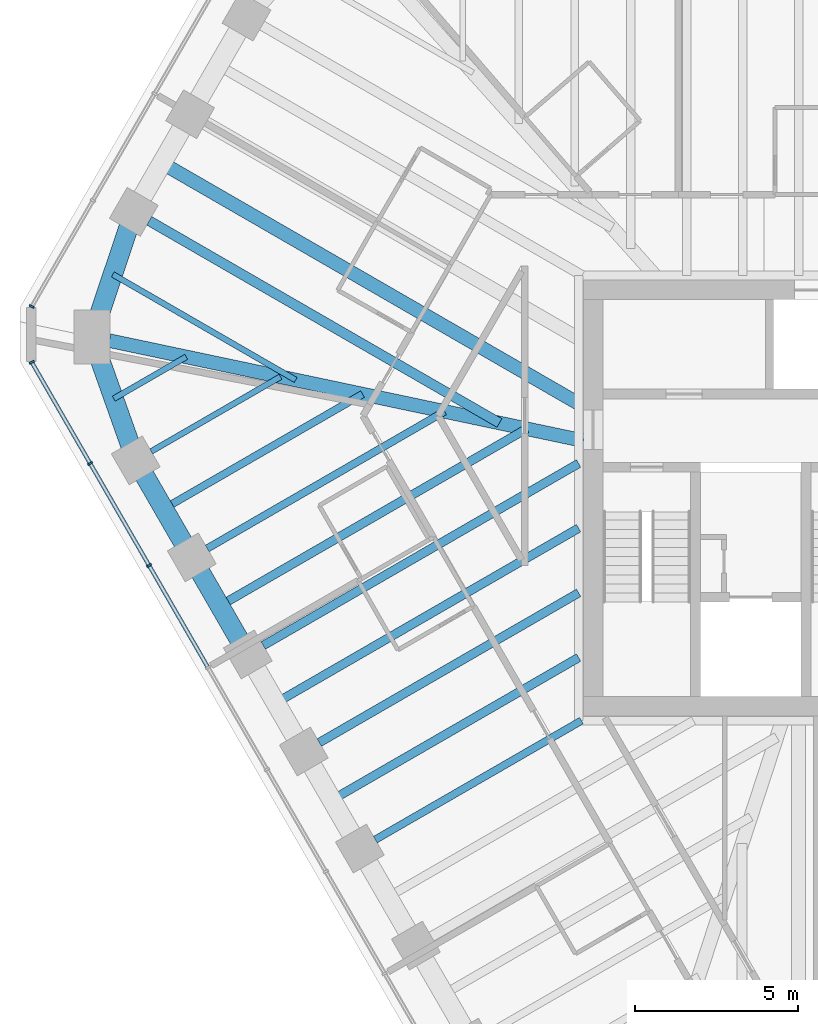
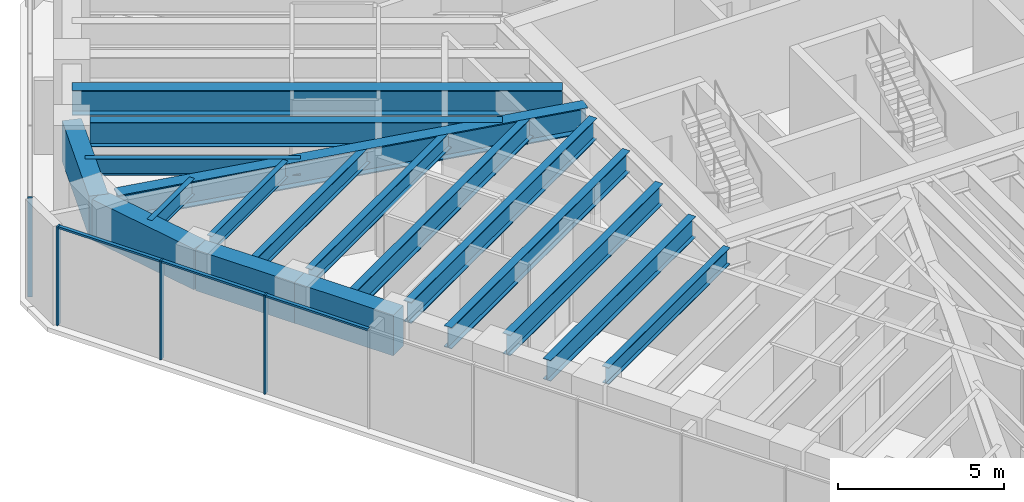
# One storey, part 3 of 14: 18 beams, 7 members, 2 elements without a shape of their own.
"""IFC4 building model written with IfcOpenShell, lengths in metres."""

from ifc_helpers import new_model, si_unit, direction, frame, origin, origin_2d, place, context, subcontext, project, spatial, rectangle, i_section, extrude, material, material_profile, profile_set, type_object, element, aggregate, save


model = new_model("IFC4")

# Units and contexts
model_context = context("Model", 3, precision=1e-05, world=origin(), true_north=direction((0.0, 1.0)))
body_context = subcontext(model_context, "Body", "Model", "MODEL_VIEW")
ifc_project = project(units=[si_unit("LENGTHUNIT", "METRE"), si_unit("AREAUNIT", "SQUARE_METRE"), si_unit("VOLUMEUNIT", "CUBIC_METRE"), si_unit("PLANEANGLEUNIT", "RADIAN"), si_unit("MASSUNIT", "GRAM", prefix="KILO")], contexts=[model_context])

# Site, building, storey
site_placement = place(None, origin())
site = spatial("IfcSite", under=ifc_project, at=site_placement, CompositionType="ELEMENT")
building_placement = place(site_placement, origin())
building = spatial("IfcBuilding", under=site, at=building_placement, Name="Sandreach Pilgrim Tower", CompositionType="ELEMENT")
storey_placement = place(building_placement, frame((0.0, 0.0, 295.0)))
storey = spatial("IfcBuildingStorey", under=building, at=storey_placement, Name="L74", CompositionType="ELEMENT", Elevation=295.0)

# Curtain wall, members
ifc_material_1 = material(Name="Aluminium framed curtain wall", Category="aluminium")
curtain_wall_type = type_object("IfcCurtainWallType", Name="Suite tower curtain wall", PredefinedType="NOTDEFINED", material=ifc_material_1)
curtain_wall_1_placement = place(storey_placement, origin())
curtain_wall_1 = element("IfcCurtainWall", 1, at=curtain_wall_1_placement, inside=storey, type_object=curtain_wall_type, Name="CW-4 L74 SW", PredefinedType="NOTDEFINED")
ifc_material_2 = material(Name="Aluminium extrusion", Category="aluminium")
ifc_material_profile_1 = material_profile(ifc_material_2, rectangle(XDim=0.06005859375, YDim=0.159912109375, at=origin_2d()), Name="CW-4M 60X160")
ifc_profile_set_1 = profile_set([ifc_material_profile_1], Name="Aluminium extrusion")
member_type_1 = type_object("IfcMemberType", Name="CW-4 mullion", PredefinedType="MULLION", material=ifc_profile_set_1)
member_1_placement = place(storey_placement, frame((-21.697509765625, -2.071533203125, 0.0), z_axis=(0.0, 0.0, 1.0), x_axis=(-0.5, 0.866025403784, 0.0)))
member_1 = element("IfcMember", 2, at=member_1_placement, type_object=member_type_1, Name="CW-4 mullion 8", PredefinedType="MULLION", context=body_context, shape_type="SweptSolid", body=[
    extrude(rectangle(XDim=0.06005859375, YDim=0.159912109375, at=origin_2d()), origin(), (0.0, 0.0, 1.0), 3.639892578125),
])
member_2_placement = place(storey_placement, frame((-23.508544921875, 1.06494140625, 0.0), z_axis=(0.0, 0.0, 1.0), x_axis=(-0.5, 0.866025403784, 0.0)))
member_2 = element("IfcMember", 3, at=member_2_placement, type_object=member_type_1, Name="CW-4 mullion 9", PredefinedType="MULLION", context=body_context, shape_type="SweptSolid", body=[
    extrude(rectangle(XDim=0.06005859375, YDim=0.159912109375, at=origin_2d()), origin(), (0.0, 0.0, 1.0), 3.639892578125),
])
member_3_placement = place(storey_placement, frame((-25.304443359375, 4.175537109375, 0.0), z_axis=(0.0, 0.0, 1.0), x_axis=(-0.5, 0.866025403784, 0.0)))
member_3 = element("IfcMember", 4, at=member_3_placement, type_object=member_type_1, Name="CW-4 mullion 10", PredefinedType="MULLION", context=body_context, shape_type="SweptSolid", body=[
    extrude(rectangle(XDim=0.06005859375, YDim=0.159912109375, at=origin_2d()), origin(), (0.0, 0.0, 1.0), 3.639892578125),
])

# Curtain wall, member
curtain_wall_2_placement = place(storey_placement, origin())
curtain_wall_2 = element("IfcCurtainWall", 5, at=curtain_wall_2_placement, inside=storey, type_object=curtain_wall_type, Name="CW-4 L74 NW", PredefinedType="NOTDEFINED")
member_4_placement = place(storey_placement, frame((-25.304443359375, 5.8876953125, 0.0), z_axis=(0.0, 0.0, 1.0), x_axis=(0.5, 0.866025403784, 0.0)))
member_4 = element("IfcMember", 6, at=member_4_placement, type_object=member_type_1, Name="CW-4 mullion 1", PredefinedType="MULLION", context=body_context, shape_type="SweptSolid", body=[
    extrude(rectangle(XDim=0.06005859375, YDim=0.159912109375, at=origin_2d()), origin(), (0.0, 0.0, 1.0), 3.639892578125),
])
aggregate(curtain_wall_2, [member_4])

# Member
ifc_material_3 = material(Name="Aluminium extrusion", Category="aluminium")
ifc_material_profile_2 = material_profile(ifc_material_3, rectangle(XDim=0.1201171875, YDim=0.070068359375, at=origin_2d()), Name="CW-4T 120X70")
ifc_profile_set_2 = profile_set([ifc_material_profile_2], Name="Aluminium extrusion")
member_type_2 = type_object("IfcMemberType", Name="CW-4 transom", PredefinedType="USERDEFINED", material=ifc_profile_set_2)
member_5_placement = place(storey_placement, frame((-19.901611328125, -5.182373046875, 3.60498046875), z_axis=(-0.500009219579, 0.866020080793, 0.0), x_axis=(-0.866020080793, -0.500009219579, 0.0)))
member_5 = element("IfcMember", 7, at=member_5_placement, type_object=member_type_2, Name="CW-4 head transom 7", ObjectType="TRANSOM", PredefinedType="USERDEFINED", context=body_context, shape_type="SweptSolid", body=[
    extrude(rectangle(XDim=0.1201171875, YDim=0.070068359375, at=origin_2d()), origin(), (0.0, 0.0, 1.0), 3.56201171875),
])

member_6_placement = place(storey_placement, frame((-21.71240234375, -2.045654296875, 3.60498046875), z_axis=(-0.500009219579, 0.866020080793, 0.0), x_axis=(-0.866020080793, -0.500009219579, 0.0)))
member_6 = element("IfcMember", 8, at=member_6_placement, type_object=member_type_2, Name="CW-4 head transom 8", ObjectType="TRANSOM", PredefinedType="USERDEFINED", context=body_context, shape_type="SweptSolid", body=[
    extrude(rectangle(XDim=0.1201171875, YDim=0.070068359375, at=origin_2d()), origin(), (0.0, 0.0, 1.0), 3.56201171875),
])

member_7_placement = place(storey_placement, frame((-23.5234375, 1.091064453125, 3.60498046875), z_axis=(-0.499997709859, 0.866026725994, 0.0), x_axis=(-0.866026725994, -0.499997709859, 0.0)))
member_7 = element("IfcMember", 9, at=member_7_placement, type_object=member_type_2, Name="CW-4 head transom 9", ObjectType="TRANSOM", PredefinedType="USERDEFINED", context=body_context, shape_type="SweptSolid", body=[
    extrude(rectangle(XDim=0.1201171875, YDim=0.070068359375, at=origin_2d()), origin(), (0.0, 0.0, 1.0), 3.53173828125),
])

aggregate(curtain_wall_1, [member_1, member_2, member_3, member_5, member_6, member_7])

# Beams
ifc_material_4 = material(Name="Steel ASTM A992 Grade 50", Category="steel")
ifc_material_profile_3 = material_profile(ifc_material_4, i_section(OverallWidth=0.421630859375, OverallDepth=0.937255859375, WebThickness=0.0224609375, FlangeThickness=0.039794921875, at=origin_2d()), Name="W36X282")
ifc_profile_set_3 = profile_set([ifc_material_profile_3], Name="Steel ASTM A992 Grade 50")
beam_type_1 = type_object("IfcBeamType", Name="Corner girder W36X282", PredefinedType="BEAM", material=ifc_profile_set_3)
beam_1_placement = place(storey_placement, frame((-22.917724609375, 4.838623046875, 3.17138671875), z_axis=(0.978430270369, -0.206577360876, 0.0), x_axis=(0.206577360876, 0.978430270369, 0.0)))
element("IfcBeam", 10, at=beam_1_placement, inside=storey, type_object=beam_type_1, Name="BM L74 CG35", PredefinedType="BEAM", context=body_context, shape_type="SweptSolid", body=[
    extrude(i_section(OverallWidth=0.421630859375, OverallDepth=0.937255859375, WebThickness=0.0224609375, FlangeThickness=0.039794921875, at=origin_2d()), origin(), (0.0, 0.0, 1.0), 14.888671875),
])
ifc_material_5 = material(Name="Steel ASTM A992 Grade 50", Category="steel")
ifc_material_profile_4 = material_profile(ifc_material_5, i_section(OverallWidth=0.1787109375, OverallDepth=0.60205078125, WebThickness=0.010986328125, FlangeThickness=0.014892578125, at=origin_2d()), Name="W24X62")
ifc_profile_set_4 = profile_set([ifc_material_profile_4], Name="Steel ASTM A992 Grade 50")
beam_type_2 = type_object("IfcBeamType", Name="Floor beam W24X62", PredefinedType="BEAM", material=ifc_profile_set_4)
beam_2_placement = place(storey_placement, frame((-21.631591796875, 1.433837890625, 3.339111328125), z_axis=(0.866037621819, 0.499978837146, 0.0), x_axis=(-0.499978837146, 0.866037621819, 0.0)))
element("IfcBeam", 11, at=beam_2_placement, inside=storey, type_object=beam_type_2, Name="BM L74 F34", PredefinedType="BEAM", context=body_context, shape_type="SweptSolid", body=[
    extrude(i_section(OverallWidth=0.1787109375, OverallDepth=0.60205078125, WebThickness=0.010986328125, FlangeThickness=0.014892578125, at=origin_2d()), origin(), (0.0, 0.0, 1.0), 4.588623046875),
])
beam_3_placement = place(storey_placement, frame((-22.78173828125, 3.0556640625, 3.339111328125), z_axis=(0.8660004255, 0.500043261163, 0.0), x_axis=(-0.500043261163, 0.8660004255, 0.0)))
element("IfcBeam", 12, at=beam_3_placement, inside=storey, type_object=beam_type_2, Name="BM L74 FM34", PredefinedType="BEAM", context=body_context, shape_type="SweptSolid", body=[
    extrude(i_section(OverallWidth=0.1787109375, OverallDepth=0.60205078125, WebThickness=0.010986328125, FlangeThickness=0.014892578125, at=origin_2d()), origin(), (0.0, 0.0, 1.0), 2.569091796875),
])
beam_4_placement = place(storey_placement, frame((-22.8125, 6.875, 3.339111328125), z_axis=(0.866023980233, -0.500002465655, 0.0), x_axis=(0.500002465655, 0.866023980233, 0.0)))
element("IfcBeam", 13, at=beam_4_placement, inside=storey, type_object=beam_type_2, Name="BM L74 FM35", PredefinedType="BEAM", context=body_context, shape_type="SweptSolid", body=[
    extrude(i_section(OverallWidth=0.1787109375, OverallDepth=0.60205078125, WebThickness=0.010986328125, FlangeThickness=0.014892578125, at=origin_2d()), origin(), (0.0, 0.0, 1.0), 6.49072265625),
])
ifc_material_6 = material(Name="Steel ASTM A992 Grade 50", Category="steel")
ifc_material_profile_5 = material_profile(ifc_material_6, i_section(OverallWidth=0.23046875, OverallDepth=0.6171875, WebThickness=0.01318359375, FlangeThickness=0.022216796875, at=origin_2d()), Name="W24X94")
ifc_profile_set_5 = profile_set([ifc_material_profile_5], Name="Steel ASTM A992 Grade 50")
beam_type_3 = type_object("IfcBeamType", Name="Floor beam W24X94", PredefinedType="BEAM", material=ifc_profile_set_5)
beam_5_placement = place(storey_placement, frame((-14.741455078125, -10.5, 3.331298828125), z_axis=(0.866019920622, 0.500009496996, 0.0), x_axis=(-0.500009496996, 0.866019920622, 0.0)))
element("IfcBeam", 14, at=beam_5_placement, inside=storey, type_object=beam_type_3, Name="BM L74 F30", PredefinedType="BEAM", context=body_context, shape_type="SweptSolid", body=[
    extrude(i_section(OverallWidth=0.23046875, OverallDepth=0.6171875, WebThickness=0.01318359375, FlangeThickness=0.022216796875, at=origin_2d()), origin(), (0.0, 0.0, 1.0), 7.313232421875),
])
beam_6_placement = place(storey_placement, frame((-19.908935546875, -1.549560546875, 3.331298828125), z_axis=(0.866026819143, 0.499997548519, 0.0), x_axis=(-0.499997548519, 0.866026819143, 0.0)))
element("IfcBeam", 15, at=beam_6_placement, inside=storey, type_object=beam_type_3, Name="BM L74 F33", PredefinedType="BEAM", context=body_context, shape_type="SweptSolid", body=[
    extrude(i_section(OverallWidth=0.23046875, OverallDepth=0.6171875, WebThickness=0.01318359375, FlangeThickness=0.022216796875, at=origin_2d()), origin(), (0.0, 0.0, 1.0), 8.4248046875),
])
beam_7_placement = place(storey_placement, frame((-21.24658203125, -0.332763671875, 3.331298828125), z_axis=(0.866028878405, 0.499993981732, 0.0), x_axis=(-0.499993981732, 0.866028878405, 0.0)))
element("IfcBeam", 16, at=beam_7_placement, inside=storey, type_object=beam_type_3, Name="BM L74 FM33", PredefinedType="BEAM", context=body_context, shape_type="SweptSolid", body=[
    extrude(i_section(OverallWidth=0.23046875, OverallDepth=0.6171875, WebThickness=0.01318359375, FlangeThickness=0.022216796875, at=origin_2d()), origin(), (0.0, 0.0, 1.0), 7.056640625),
])
ifc_material_7 = material(Name="Steel ASTM A992 Grade 50", Category="steel")
ifc_material_profile_6 = material_profile(ifc_material_7, i_section(OverallWidth=0.2666015625, OverallDepth=0.761962890625, WebThickness=0.014404296875, FlangeThickness=0.021484375, at=origin_2d()), Name="W30X116")
ifc_profile_set_6 = profile_set([ifc_material_profile_6], Name="Steel ASTM A992 Grade 50")
beam_type_4 = type_object("IfcBeamType", Name="Floor beam W30X116", PredefinedType="BEAM", material=ifc_profile_set_6)
beam_8_placement = place(storey_placement, frame((-16.4638671875, -7.516357421875, 3.259033203125), z_axis=(0.866022580836, 0.500004889459, 0.0), x_axis=(-0.500004889459, 0.866022580836, 0.0)))
element("IfcBeam", 17, at=beam_8_placement, inside=storey, type_object=beam_type_4, Name="BM L74 F31", PredefinedType="BEAM", context=body_context, shape_type="SweptSolid", body=[
    extrude(i_section(OverallWidth=0.2666015625, OverallDepth=0.761962890625, WebThickness=0.014404296875, FlangeThickness=0.021484375, at=origin_2d()), origin(), (0.0, 0.0, 1.0), 9.20361328125),
])
beam_9_placement = place(storey_placement, frame((-16.0791015625, -9.283203125, 3.259033203125), z_axis=(0.866023595995, 0.500003131169, 0.0), x_axis=(-0.500003131169, 0.866023595995, 0.0)))
element("IfcBeam", 18, at=beam_9_placement, inside=storey, type_object=beam_type_4, Name="BM L74 FM30", PredefinedType="BEAM", context=body_context, shape_type="SweptSolid", body=[
    extrude(i_section(OverallWidth=0.2666015625, OverallDepth=0.761962890625, WebThickness=0.014404296875, FlangeThickness=0.021484375, at=origin_2d()), origin(), (0.0, 0.0, 1.0), 8.75927734375),
])
ifc_material_8 = material(Name="Steel ASTM A992 Grade 50", Category="steel")
ifc_material_profile_7 = material_profile(ifc_material_8, i_section(OverallWidth=0.2666015625, OverallDepth=0.77978515625, WebThickness=0.0166015625, FlangeThickness=0.030029296875, at=origin_2d()), Name="W30X148")
ifc_profile_set_7 = profile_set([ifc_material_profile_7], Name="Steel ASTM A992 Grade 50")
beam_type_5 = type_object("IfcBeamType", Name="Floor beam W30X148", PredefinedType="BEAM", material=ifc_profile_set_7)
beam_10_placement = place(storey_placement, frame((-18.1865234375, -4.532958984375, 3.25), z_axis=(0.866030482771, 0.499991202833, 0.0), x_axis=(-0.499991202833, 0.866030482771, 0.0)))
element("IfcBeam", 19, at=beam_10_placement, inside=storey, type_object=beam_type_5, Name="BM L74 F32", PredefinedType="BEAM", context=body_context, shape_type="SweptSolid", body=[
    extrude(i_section(OverallWidth=0.2666015625, OverallDepth=0.77978515625, WebThickness=0.0166015625, FlangeThickness=0.030029296875, at=origin_2d()), origin(), (0.0, 0.0, 1.0), 11.192626953125),
])
beam_11_placement = place(storey_placement, frame((-17.801513671875, -6.2998046875, 3.25), z_axis=(0.866025958161, 0.49999903979, 0.0), x_axis=(-0.49999903979, 0.866025958161, 0.0)))
element("IfcBeam", 20, at=beam_11_placement, inside=storey, type_object=beam_type_5, Name="BM L74 FM31", PredefinedType="BEAM", context=body_context, shape_type="SweptSolid", body=[
    extrude(i_section(OverallWidth=0.2666015625, OverallDepth=0.77978515625, WebThickness=0.0166015625, FlangeThickness=0.030029296875, at=origin_2d()), origin(), (0.0, 0.0, 1.0), 10.748046875),
])
beam_12_placement = place(storey_placement, frame((-19.52392578125, -3.316162109375, 3.25), z_axis=(0.866029205616, 0.499993414976, 0.0), x_axis=(-0.499993414976, 0.866029205616, 0.0)))
element("IfcBeam", 21, at=beam_12_placement, inside=storey, type_object=beam_type_5, Name="BM L74 FM32", PredefinedType="BEAM", context=body_context, shape_type="SweptSolid", body=[
    extrude(i_section(OverallWidth=0.2666015625, OverallDepth=0.77978515625, WebThickness=0.0166015625, FlangeThickness=0.030029296875, at=origin_2d()), origin(), (0.0, 0.0, 1.0), 10.893310546875),
])
ifc_material_9 = material(Name="Steel ASTM A992 Grade 50", Category="steel")
ifc_material_profile_8 = material_profile(ifc_material_9, i_section(OverallWidth=0.3046875, OverallDepth=0.914306640625, WebThickness=0.0166015625, FlangeThickness=0.02587890625, at=origin_2d()), Name="W36X160")
ifc_profile_set_8 = profile_set([ifc_material_profile_8], Name="Steel ASTM A992 Grade 50")
beam_type_6 = type_object("IfcBeamType", Name="Floor beam W36X160", PredefinedType="BEAM", material=ifc_profile_set_8)
beam_13_placement = place(storey_placement, frame((-21.69287109375, 8.522705078125, 3.182861328125), z_axis=(0.866028931402, -0.499993889937, 0.0), x_axis=(0.499993889937, 0.866028931402, 0.0)))
element("IfcBeam", 22, at=beam_13_placement, inside=storey, type_object=beam_type_6, Name="BM L74 F36", PredefinedType="BEAM", context=body_context, shape_type="SweptSolid", body=[
    extrude(i_section(OverallWidth=0.3046875, OverallDepth=0.914306640625, WebThickness=0.0166015625, FlangeThickness=0.02587890625, at=origin_2d()), origin(), (0.0, 0.0, 1.0), 12.431396484375),
])
ifc_material_10 = material(Name="Steel ASTM A992 Grade 50", Category="steel")
ifc_material_profile_9 = material_profile(ifc_material_10, i_section(OverallWidth=0.419189453125, OverallDepth=0.927001953125, WebThickness=0.019287109375, FlangeThickness=0.031982421875, at=origin_2d()), Name="W36X231")
ifc_profile_set_9 = profile_set([ifc_material_profile_9], Name="Steel ASTM A992 Grade 50")
beam_type_7 = type_object("IfcBeamType", Name="Floor beam W36X231", PredefinedType="BEAM", material=ifc_profile_set_9)
beam_14_placement = place(storey_placement, frame((-21.302978515625, 10.29833984375, 3.176513671875), z_axis=(0.866028362181, -0.499994875871, 0.0), x_axis=(0.499994875871, 0.866028362181, 0.0)))
element("IfcBeam", 23, at=beam_14_placement, inside=storey, type_object=beam_type_7, Name="BM L74 FM36", PredefinedType="BEAM", context=body_context, shape_type="SweptSolid", body=[
    extrude(i_section(OverallWidth=0.419189453125, OverallDepth=0.927001953125, WebThickness=0.019287109375, FlangeThickness=0.031982421875, at=origin_2d()), origin(), (0.0, 0.0, 1.0), 14.791259765625),
])
ifc_material_11 = material(Name="Concrete 10000 psi", Category="concrete")
ifc_material_profile_10 = material_profile(ifc_material_11, rectangle(XDim=0.60009765625, YDim=1.5, at=origin_2d()), Name="RC600X1500")
ifc_profile_set_10 = profile_set([ifc_material_profile_10], Name="Concrete 10000 psi")
beam_type_8 = type_object("IfcBeamType", Name="Spandrel beam RC600X1500", PredefinedType="SPANDREL", material=ifc_profile_set_10)
for number, where, z_axis, x_axis, name in (
    (24, (-18.662841796875, -4.80810546875, 2.889892578125), (-0.499957605418, 0.866049878924, 0.0), (-0.866049878924, -0.499957605418, 0.0), "BM L74 SP32"),
    (25, (-20.38525390625, -1.824462890625, 2.889892578125), (-0.500041441558, 0.866001476168, 0.0), (-0.866001476168, -0.500041441558, 0.0), "BM L74 SP33"),
):
    element("IfcBeam", number, at=place(storey_placement, frame(where, z_axis=z_axis, x_axis=x_axis)), inside=storey, type_object=beam_type_8, Name=name, PredefinedType="SPANDREL", context=body_context, shape_type="SweptSolid", body=[
        extrude(rectangle(XDim=0.60009765625, YDim=1.5, at=origin_2d()), origin(), (0.0, 0.0, 1.0), 3.445068359375),
    ])
beam_15_placement = place(storey_placement, frame((-22.10791015625, 1.158935546875, 2.889892578125), z_axis=(-0.33481464839, 0.94228400773, 0.0), x_axis=(-0.94228400773, -0.33481464839, 0.0)))
element("IfcBeam", 26, at=beam_15_placement, inside=storey, type_object=beam_type_8, Name="BM L74 SP34", PredefinedType="SPANDREL", context=body_context, shape_type="SweptSolid", body=[
    extrude(rectangle(XDim=0.60009765625, YDim=1.5, at=origin_2d()), origin(), (0.0, 0.0, 1.0), 4.02587890625),
])
beam_16_placement = place(storey_placement, frame((-23.455810546875, 4.952392578125, 2.889892578125), z_axis=(0.317293238289, 0.948327475578, 0.0), x_axis=(-0.948327475578, 0.317293238289, 0.0)))
element("IfcBeam", 27, at=beam_16_placement, inside=storey, type_object=beam_type_8, Name="BM L74 SP35", PredefinedType="SPANDREL", context=body_context, shape_type="SweptSolid", body=[
    extrude(rectangle(XDim=0.60009765625, YDim=1.5, at=origin_2d()), origin(), (0.0, 0.0, 1.0), 4.054931640625),
])

save(model, "model.ifc")
